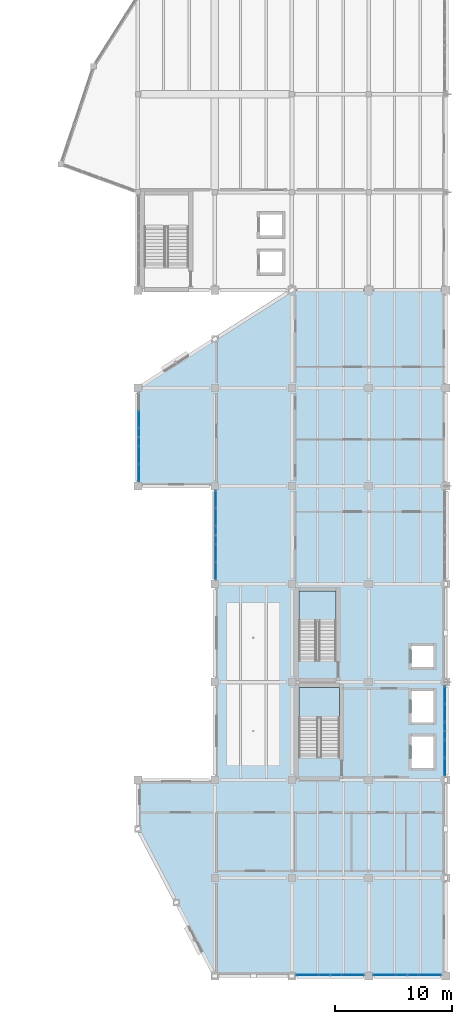
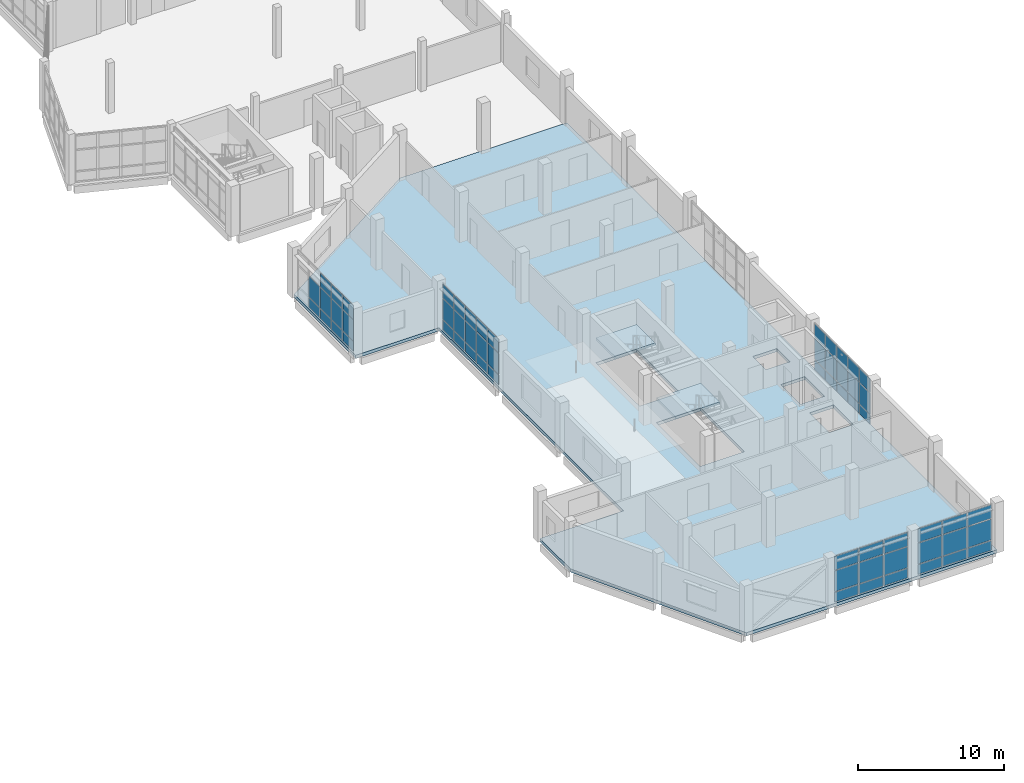
# One storey, part 38 of 74: 59 plates, 3 slabs, 7 elements without a shape of their own.
"""IFC4 building model written with IfcOpenShell, lengths in metres."""

from ifc_helpers import new_model, si_unit, direction, frame, origin, origin_2d, place, context, subcontext, project, spatial, polyline, rectangle, outline, extrude, material, layer, layer_set, type_object, element, aggregate, save


model = new_model("IFC4")

# Units and contexts
model_context = context("Model", 3, precision=1e-05, world=origin(), true_north=direction((0.0, 1.0)))
body_context = subcontext(model_context, "Body", "Model", "MODEL_VIEW")
ifc_project = project(units=[si_unit("LENGTHUNIT", "METRE"), si_unit("AREAUNIT", "SQUARE_METRE"), si_unit("VOLUMEUNIT", "CUBIC_METRE"), si_unit("PLANEANGLEUNIT", "RADIAN"), si_unit("MASSUNIT", "GRAM", prefix="KILO")], contexts=[model_context])

# Site, building, storey
site_placement = place(None, origin())
site = spatial("IfcSite", under=ifc_project, at=site_placement, CompositionType="ELEMENT")
building_placement = place(site_placement, origin())
building = spatial("IfcBuilding", under=site, at=building_placement, Name="Qaldarim Faculty of Natural and Applied Sciences", CompositionType="ELEMENT")
storey_placement = place(building_placement, frame((0.0, 0.0, 14.39990234375)))
storey = spatial("IfcBuildingStorey", under=building, at=storey_placement, Name="L03", CompositionType="ELEMENT", Elevation=14.39990234375)

# Slab
ifc_material_1 = material(Name="Concrete C40/50", Category="concrete")
ifc_layer_1 = layer(ifc_material_1, 0.260009765625)
ifc_layer_set_1 = layer_set([ifc_layer_1], Name="Concrete C40/50")
slab_type_1 = type_object("IfcSlabType", Name="LaboratoryFloorSlab-260", PredefinedType="FLOOR", material=ifc_layer_set_1)
slab_1_placement = place(storey_placement, frame((0.0, 0.0, -0.260009765625)))
element("IfcSlab", 1, at=slab_1_placement, inside=storey, type_object=slab_type_1, Name="Floor slab L03 V5", PredefinedType="FLOOR", context=body_context, shape_type="SweptSolid", body=[
    extrude(outline(polyline([(158.39990234375, 0.0), (178.199951171875, 0.0), (178.199951171875, 58.800048828125), (165.0, 58.800048828125), (151.800048828125, 50.39990234375), (151.800048828125, 42.0), (158.39990234375, 42.0), (158.39990234375, 16.800048828125), (151.800048828125, 16.800048828125), (151.800048828125, 12.60009765625), (158.39990234375, 0.0)]), holes=[polyline([(169.10009765625, 18.764892578125), (169.10009765625, 24.77490234375), (165.60009765625, 24.77490234375), (165.60009765625, 18.764892578125), (169.10009765625, 18.764892578125)]), polyline([(168.800048828125, 27.06494140625), (168.800048828125, 33.02490234375), (165.60009765625, 33.02490234375), (165.60009765625, 27.06494140625), (168.800048828125, 27.06494140625)]), polyline([(175.25, 17.85009765625), (177.14990234375, 17.85009765625), (177.14990234375, 20.550048828125), (175.25, 20.550048828125), (175.25, 17.85009765625)]), polyline([(175.25, 21.75), (177.14990234375, 21.75), (177.14990234375, 24.449951171875), (175.25, 24.449951171875), (175.25, 21.75)]), polyline([(175.25, 26.5), (177.14990234375, 26.5), (177.14990234375, 28.300048828125), (175.25, 28.300048828125), (175.25, 26.5)])]), origin(), (0.0, 0.0, 1.0), 0.260009765625),
])

# Curtain wall, plates
ifc_material_2 = material(Name="Anodised aluminium AW-6063", Category="aluminium")
curtain_wall_type = type_object("IfcCurtainWallType", Name="CurtainWallSystem-M1700", PredefinedType="USERDEFINED", material=ifc_material_2)
curtain_wall_1_placement = place(storey_placement, origin())
curtain_wall_1 = element("IfcCurtainWall", 2, at=curtain_wall_1_placement, inside=storey, type_object=curtain_wall_type, Name="Curtain wall CW-L03-W-X24Y06", ObjectType="UNITISED FACADE", PredefinedType="USERDEFINED")
ifc_material_3 = material(Name="Insulated low-e double glazing", Category="glass")
ifc_layer_2 = layer(ifc_material_3, 0.031982421875)
ifc_layer_set_2 = layer_set([ifc_layer_2], Name="Insulated low-e double glazing")
plate_type = type_object("IfcPlateType", Name="SolarControlGlazingPanel-32", PredefinedType="CURTAIN_PANEL", material=ifc_layer_set_2)
plate_1_placement = place(storey_placement, frame((151.8798828125, 47.741943359375, 0.070068359375), z_axis=(0.0, 0.0, 1.0), x_axis=(0.0, -1.0, 0.0)))
plate_1 = element("IfcPlate", 3, at=plate_1_placement, type_object=plate_type, Name="Glazed panel 2-1 of CW-L03-W-X24Y06", PredefinedType="CURTAIN_PANEL", context=body_context, shape_type="SweptSolid", body=[
    extrude(rectangle(XDim=1.471923828125, YDim=0.031982421875, at=origin_2d()), origin(), (0.0, 0.0, 1.0), 0.794921875),
])
plate_2_placement = place(storey_placement, frame((151.8798828125, 47.741943359375, 0.93505859375), z_axis=(0.0, 0.0, 1.0), x_axis=(0.0, -1.0, 0.0)))
plate_2 = element("IfcPlate", 4, at=plate_2_placement, type_object=plate_type, Name="Glazed panel 2-2 of CW-L03-W-X24Y06", PredefinedType="CURTAIN_PANEL", context=body_context, shape_type="SweptSolid", body=[
    extrude(rectangle(XDim=1.471923828125, YDim=0.031982421875, at=origin_2d()), origin(), (0.0, 0.0, 1.0), 1.72998046875),
])
plate_3_placement = place(storey_placement, frame((151.8798828125, 46.199951171875, 0.070068359375), z_axis=(0.0, 0.0, 1.0), x_axis=(0.0, -1.0, 0.0)))
plate_3 = element("IfcPlate", 5, at=plate_3_placement, type_object=plate_type, Name="Glazed panel 3-1 of CW-L03-W-X24Y06", PredefinedType="CURTAIN_PANEL", context=body_context, shape_type="SweptSolid", body=[
    extrude(rectangle(XDim=1.471923828125, YDim=0.031982421875, at=origin_2d()), origin(), (0.0, 0.0, 1.0), 0.794921875),
])
plate_4_placement = place(storey_placement, frame((151.8798828125, 46.199951171875, 0.93505859375), z_axis=(0.0, 0.0, 1.0), x_axis=(0.0, -1.0, 0.0)))
plate_4 = element("IfcPlate", 6, at=plate_4_placement, type_object=plate_type, Name="Glazed panel 3-2 of CW-L03-W-X24Y06", PredefinedType="CURTAIN_PANEL", context=body_context, shape_type="SweptSolid", body=[
    extrude(rectangle(XDim=1.471923828125, YDim=0.031982421875, at=origin_2d()), origin(), (0.0, 0.0, 1.0), 1.72998046875),
])
plate_5_placement = place(storey_placement, frame((151.8798828125, 46.199951171875, 2.73486328125), z_axis=(0.0, 0.0, 1.0), x_axis=(0.0, -1.0, 0.0)))
plate_5 = element("IfcPlate", 7, at=plate_5_placement, type_object=plate_type, Name="Glazed panel 3-3 of CW-L03-W-X24Y06", PredefinedType="CURTAIN_PANEL", context=body_context, shape_type="SweptSolid", body=[
    extrude(rectangle(XDim=1.471923828125, YDim=0.031982421875, at=origin_2d()), origin(), (0.0, 0.0, 1.0), 1.135009765625),
])
plate_6_placement = place(storey_placement, frame((151.8798828125, 44.657958984375, 0.070068359375), z_axis=(0.0, 0.0, 1.0), x_axis=(0.0, -1.0, 0.0)))
plate_6 = element("IfcPlate", 8, at=plate_6_placement, type_object=plate_type, Name="Glazed panel 4-1 of CW-L03-W-X24Y06", PredefinedType="CURTAIN_PANEL", context=body_context, shape_type="SweptSolid", body=[
    extrude(rectangle(XDim=1.471923828125, YDim=0.031982421875, at=origin_2d()), origin(), (0.0, 0.0, 1.0), 0.794921875),
])
plate_7_placement = place(storey_placement, frame((151.8798828125, 44.657958984375, 0.93505859375), z_axis=(0.0, 0.0, 1.0), x_axis=(0.0, -1.0, 0.0)))
plate_7 = element("IfcPlate", 9, at=plate_7_placement, type_object=plate_type, Name="Glazed panel 4-2 of CW-L03-W-X24Y06", PredefinedType="CURTAIN_PANEL", context=body_context, shape_type="SweptSolid", body=[
    extrude(rectangle(XDim=1.471923828125, YDim=0.031982421875, at=origin_2d()), origin(), (0.0, 0.0, 1.0), 1.72998046875),
])
plate_8_placement = place(storey_placement, frame((151.8798828125, 44.657958984375, 2.73486328125), z_axis=(0.0, 0.0, 1.0), x_axis=(0.0, -1.0, 0.0)))
plate_8 = element("IfcPlate", 10, at=plate_8_placement, type_object=plate_type, Name="Glazed panel 4-3 of CW-L03-W-X24Y06", PredefinedType="CURTAIN_PANEL", context=body_context, shape_type="SweptSolid", body=[
    extrude(rectangle(XDim=1.471923828125, YDim=0.031982421875, at=origin_2d()), origin(), (0.0, 0.0, 1.0), 1.135009765625),
])
plate_9_placement = place(storey_placement, frame((151.8798828125, 43.133544921875, 0.070068359375), z_axis=(0.0, 0.0, 1.0), x_axis=(0.0, -1.0, 0.0)))
plate_9 = element("IfcPlate", 11, at=plate_9_placement, type_object=plate_type, Name="Glazed panel 5-1 of CW-L03-W-X24Y06", PredefinedType="CURTAIN_PANEL", context=body_context, shape_type="SweptSolid", body=[
    extrude(rectangle(XDim=1.43701171875, YDim=0.031982421875, at=origin_2d()), origin(), (0.0, 0.0, 1.0), 0.794921875),
])
plate_10_placement = place(storey_placement, frame((151.8798828125, 43.133544921875, 0.93505859375), z_axis=(0.0, 0.0, 1.0), x_axis=(0.0, -1.0, 0.0)))
plate_10 = element("IfcPlate", 12, at=plate_10_placement, type_object=plate_type, Name="Glazed panel 5-2 of CW-L03-W-X24Y06", PredefinedType="CURTAIN_PANEL", context=body_context, shape_type="SweptSolid", body=[
    extrude(rectangle(XDim=1.43701171875, YDim=0.031982421875, at=origin_2d()), origin(), (0.0, 0.0, 1.0), 1.72998046875),
])
plate_11_placement = place(storey_placement, frame((151.8798828125, 43.133544921875, 2.73486328125), z_axis=(0.0, 0.0, 1.0), x_axis=(0.0, -1.0, 0.0)))
plate_11 = element("IfcPlate", 13, at=plate_11_placement, type_object=plate_type, Name="Glazed panel 5-3 of CW-L03-W-X24Y06", PredefinedType="CURTAIN_PANEL", context=body_context, shape_type="SweptSolid", body=[
    extrude(rectangle(XDim=1.43701171875, YDim=0.031982421875, at=origin_2d()), origin(), (0.0, 0.0, 1.0), 1.135009765625),
])
aggregate(curtain_wall_1, [plate_1, plate_2, plate_3, plate_4, plate_5, plate_6, plate_7, plate_8, plate_9, plate_10, plate_11])

curtain_wall_2_placement = place(storey_placement, origin())
curtain_wall_2 = element("IfcCurtainWall", 14, at=curtain_wall_2_placement, inside=storey, type_object=curtain_wall_type, Name="Curtain wall CW-L03-W-X25Y05", ObjectType="UNITISED FACADE", PredefinedType="USERDEFINED")
plate_12_placement = place(storey_placement, frame((158.47998046875, 40.866455078125, 0.070068359375), z_axis=(0.0, 0.0, 1.0), x_axis=(0.0, -1.0, 0.0)))
plate_12 = element("IfcPlate", 15, at=plate_12_placement, type_object=plate_type, Name="Glazed panel 1-1 of CW-L03-W-X25Y05", PredefinedType="CURTAIN_PANEL", context=body_context, shape_type="SweptSolid", body=[
    extrude(rectangle(XDim=1.43701171875, YDim=0.031982421875, at=origin_2d()), origin(), (0.0, 0.0, 1.0), 0.794921875),
])
plate_13_placement = place(storey_placement, frame((158.47998046875, 40.866455078125, 0.93505859375), z_axis=(0.0, 0.0, 1.0), x_axis=(0.0, -1.0, 0.0)))
plate_13 = element("IfcPlate", 16, at=plate_13_placement, type_object=plate_type, Name="Glazed panel 1-2 of CW-L03-W-X25Y05", PredefinedType="CURTAIN_PANEL", context=body_context, shape_type="SweptSolid", body=[
    extrude(rectangle(XDim=1.43701171875, YDim=0.031982421875, at=origin_2d()), origin(), (0.0, 0.0, 1.0), 1.72998046875),
])
plate_14_placement = place(storey_placement, frame((158.47998046875, 40.866455078125, 2.73486328125), z_axis=(0.0, 0.0, 1.0), x_axis=(0.0, -1.0, 0.0)))
plate_14 = element("IfcPlate", 17, at=plate_14_placement, type_object=plate_type, Name="Glazed panel 1-3 of CW-L03-W-X25Y05", PredefinedType="CURTAIN_PANEL", context=body_context, shape_type="SweptSolid", body=[
    extrude(rectangle(XDim=1.43701171875, YDim=0.031982421875, at=origin_2d()), origin(), (0.0, 0.0, 1.0), 1.135009765625),
])
plate_15_placement = place(storey_placement, frame((158.47998046875, 39.342041015625, 0.070068359375), z_axis=(0.0, 0.0, 1.0), x_axis=(0.0, -1.0, 0.0)))
plate_15 = element("IfcPlate", 18, at=plate_15_placement, type_object=plate_type, Name="Glazed panel 2-1 of CW-L03-W-X25Y05", PredefinedType="CURTAIN_PANEL", context=body_context, shape_type="SweptSolid", body=[
    extrude(rectangle(XDim=1.471923828125, YDim=0.031982421875, at=origin_2d()), origin(), (0.0, 0.0, 1.0), 0.794921875),
])
plate_16_placement = place(storey_placement, frame((158.47998046875, 39.342041015625, 0.93505859375), z_axis=(0.0, 0.0, 1.0), x_axis=(0.0, -1.0, 0.0)))
plate_16 = element("IfcPlate", 19, at=plate_16_placement, type_object=plate_type, Name="Glazed panel 2-2 of CW-L03-W-X25Y05", PredefinedType="CURTAIN_PANEL", context=body_context, shape_type="SweptSolid", body=[
    extrude(rectangle(XDim=1.471923828125, YDim=0.031982421875, at=origin_2d()), origin(), (0.0, 0.0, 1.0), 1.72998046875),
])
plate_17_placement = place(storey_placement, frame((158.47998046875, 39.342041015625, 2.73486328125), z_axis=(0.0, 0.0, 1.0), x_axis=(0.0, -1.0, 0.0)))
plate_17 = element("IfcPlate", 20, at=plate_17_placement, type_object=plate_type, Name="Glazed panel 2-3 of CW-L03-W-X25Y05", PredefinedType="CURTAIN_PANEL", context=body_context, shape_type="SweptSolid", body=[
    extrude(rectangle(XDim=1.471923828125, YDim=0.031982421875, at=origin_2d()), origin(), (0.0, 0.0, 1.0), 1.135009765625),
])
plate_18_placement = place(storey_placement, frame((158.47998046875, 37.800048828125, 0.070068359375), z_axis=(0.0, 0.0, 1.0), x_axis=(0.0, -1.0, 0.0)))
plate_18 = element("IfcPlate", 21, at=plate_18_placement, type_object=plate_type, Name="Glazed panel 3-1 of CW-L03-W-X25Y05", PredefinedType="CURTAIN_PANEL", context=body_context, shape_type="SweptSolid", body=[
    extrude(rectangle(XDim=1.471923828125, YDim=0.031982421875, at=origin_2d()), origin(), (0.0, 0.0, 1.0), 0.794921875),
])
plate_19_placement = place(storey_placement, frame((158.47998046875, 37.800048828125, 0.93505859375), z_axis=(0.0, 0.0, 1.0), x_axis=(0.0, -1.0, 0.0)))
plate_19 = element("IfcPlate", 22, at=plate_19_placement, type_object=plate_type, Name="Glazed panel 3-2 of CW-L03-W-X25Y05", PredefinedType="CURTAIN_PANEL", context=body_context, shape_type="SweptSolid", body=[
    extrude(rectangle(XDim=1.471923828125, YDim=0.031982421875, at=origin_2d()), origin(), (0.0, 0.0, 1.0), 1.72998046875),
])
plate_20_placement = place(storey_placement, frame((158.47998046875, 37.800048828125, 2.73486328125), z_axis=(0.0, 0.0, 1.0), x_axis=(0.0, -1.0, 0.0)))
plate_20 = element("IfcPlate", 23, at=plate_20_placement, type_object=plate_type, Name="Glazed panel 3-3 of CW-L03-W-X25Y05", PredefinedType="CURTAIN_PANEL", context=body_context, shape_type="SweptSolid", body=[
    extrude(rectangle(XDim=1.471923828125, YDim=0.031982421875, at=origin_2d()), origin(), (0.0, 0.0, 1.0), 1.135009765625),
])
plate_21_placement = place(storey_placement, frame((158.47998046875, 36.258056640625, 0.070068359375), z_axis=(0.0, 0.0, 1.0), x_axis=(0.0, -1.0, 0.0)))
plate_21 = element("IfcPlate", 24, at=plate_21_placement, type_object=plate_type, Name="Glazed panel 4-1 of CW-L03-W-X25Y05", PredefinedType="CURTAIN_PANEL", context=body_context, shape_type="SweptSolid", body=[
    extrude(rectangle(XDim=1.471923828125, YDim=0.031982421875, at=origin_2d()), origin(), (0.0, 0.0, 1.0), 0.794921875),
])
plate_22_placement = place(storey_placement, frame((158.47998046875, 36.258056640625, 0.93505859375), z_axis=(0.0, 0.0, 1.0), x_axis=(0.0, -1.0, 0.0)))
plate_22 = element("IfcPlate", 25, at=plate_22_placement, type_object=plate_type, Name="Glazed panel 4-2 of CW-L03-W-X25Y05", PredefinedType="CURTAIN_PANEL", context=body_context, shape_type="SweptSolid", body=[
    extrude(rectangle(XDim=1.471923828125, YDim=0.031982421875, at=origin_2d()), origin(), (0.0, 0.0, 1.0), 1.72998046875),
])
plate_23_placement = place(storey_placement, frame((158.47998046875, 36.258056640625, 2.73486328125), z_axis=(0.0, 0.0, 1.0), x_axis=(0.0, -1.0, 0.0)))
plate_23 = element("IfcPlate", 26, at=plate_23_placement, type_object=plate_type, Name="Glazed panel 4-3 of CW-L03-W-X25Y05", PredefinedType="CURTAIN_PANEL", context=body_context, shape_type="SweptSolid", body=[
    extrude(rectangle(XDim=1.471923828125, YDim=0.031982421875, at=origin_2d()), origin(), (0.0, 0.0, 1.0), 1.135009765625),
])
plate_24_placement = place(storey_placement, frame((158.47998046875, 34.7333984375, 0.070068359375), z_axis=(0.0, 0.0, 1.0), x_axis=(0.0, -1.0, 0.0)))
plate_24 = element("IfcPlate", 27, at=plate_24_placement, type_object=plate_type, Name="Glazed panel 5-1 of CW-L03-W-X25Y05", PredefinedType="CURTAIN_PANEL", context=body_context, shape_type="SweptSolid", body=[
    extrude(rectangle(XDim=1.43701171875, YDim=0.031982421875, at=origin_2d()), origin(), (0.0, 0.0, 1.0), 0.794921875),
])
plate_25_placement = place(storey_placement, frame((158.47998046875, 34.7333984375, 0.93505859375), z_axis=(0.0, 0.0, 1.0), x_axis=(0.0, -1.0, 0.0)))
plate_25 = element("IfcPlate", 28, at=plate_25_placement, type_object=plate_type, Name="Glazed panel 5-2 of CW-L03-W-X25Y05", PredefinedType="CURTAIN_PANEL", context=body_context, shape_type="SweptSolid", body=[
    extrude(rectangle(XDim=1.43701171875, YDim=0.031982421875, at=origin_2d()), origin(), (0.0, 0.0, 1.0), 1.72998046875),
])
plate_26_placement = place(storey_placement, frame((158.47998046875, 34.7333984375, 2.73486328125), z_axis=(0.0, 0.0, 1.0), x_axis=(0.0, -1.0, 0.0)))
plate_26 = element("IfcPlate", 29, at=plate_26_placement, type_object=plate_type, Name="Glazed panel 5-3 of CW-L03-W-X25Y05", PredefinedType="CURTAIN_PANEL", context=body_context, shape_type="SweptSolid", body=[
    extrude(rectangle(XDim=1.43701171875, YDim=0.031982421875, at=origin_2d()), origin(), (0.0, 0.0, 1.0), 1.135009765625),
])
aggregate(curtain_wall_2, [plate_12, plate_13, plate_14, plate_15, plate_16, plate_17, plate_18, plate_19, plate_20, plate_21, plate_22, plate_23, plate_24, plate_25, plate_26])

curtain_wall_3_placement = place(storey_placement, origin())
curtain_wall_3 = element("IfcCurtainWall", 30, at=curtain_wall_3_placement, inside=storey, type_object=curtain_wall_type, Name="Curtain wall CW-L03-S-X26Y01", ObjectType="UNITISED FACADE", PredefinedType="USERDEFINED")
plate_27_placement = place(storey_placement, frame((166.347412109375, 0.080078125, 0.070068359375), z_axis=(0.0, 0.0, 1.0), x_axis=(1.0, 0.0, 0.0)))
plate_27 = element("IfcPlate", 31, at=plate_27_placement, type_object=plate_type, Name="Glazed panel 1-1 of CW-L03-S-X26Y01", PredefinedType="CURTAIN_PANEL", context=body_context, shape_type="SweptSolid", body=[
    extrude(rectangle(XDim=1.864990234375, YDim=0.031982421875, at=origin_2d()), origin(), (0.0, 0.0, 1.0), 0.794921875),
])
plate_28_placement = place(storey_placement, frame((166.347412109375, 0.080078125, 0.93505859375), z_axis=(0.0, 0.0, 1.0), x_axis=(1.0, 0.0, 0.0)))
plate_28 = element("IfcPlate", 32, at=plate_28_placement, type_object=plate_type, Name="Glazed panel 1-2 of CW-L03-S-X26Y01", PredefinedType="CURTAIN_PANEL", context=body_context, shape_type="SweptSolid", body=[
    extrude(rectangle(XDim=1.864990234375, YDim=0.031982421875, at=origin_2d()), origin(), (0.0, 0.0, 1.0), 1.72998046875),
])
plate_29_placement = place(storey_placement, frame((166.347412109375, 0.080078125, 2.73486328125), z_axis=(0.0, 0.0, 1.0), x_axis=(1.0, 0.0, 0.0)))
plate_29 = element("IfcPlate", 33, at=plate_29_placement, type_object=plate_type, Name="Glazed panel 1-3 of CW-L03-S-X26Y01", PredefinedType="CURTAIN_PANEL", context=body_context, shape_type="SweptSolid", body=[
    extrude(rectangle(XDim=1.864990234375, YDim=0.031982421875, at=origin_2d()), origin(), (0.0, 0.0, 1.0), 1.135009765625),
])
plate_30_placement = place(storey_placement, frame((168.300048828125, 0.080078125, 0.070068359375), z_axis=(0.0, 0.0, 1.0), x_axis=(1.0, 0.0, 0.0)))
plate_30 = element("IfcPlate", 34, at=plate_30_placement, type_object=plate_type, Name="Glazed panel 2-1 of CW-L03-S-X26Y01", PredefinedType="CURTAIN_PANEL", context=body_context, shape_type="SweptSolid", body=[
    extrude(rectangle(XDim=1.89990234375, YDim=0.031982421875, at=origin_2d()), origin(), (0.0, 0.0, 1.0), 0.794921875),
])
plate_31_placement = place(storey_placement, frame((168.300048828125, 0.080078125, 0.93505859375), z_axis=(0.0, 0.0, 1.0), x_axis=(1.0, 0.0, 0.0)))
plate_31 = element("IfcPlate", 35, at=plate_31_placement, type_object=plate_type, Name="Glazed panel 2-2 of CW-L03-S-X26Y01", PredefinedType="CURTAIN_PANEL", context=body_context, shape_type="SweptSolid", body=[
    extrude(rectangle(XDim=1.89990234375, YDim=0.031982421875, at=origin_2d()), origin(), (0.0, 0.0, 1.0), 1.72998046875),
])
plate_32_placement = place(storey_placement, frame((168.300048828125, 0.080078125, 2.73486328125), z_axis=(0.0, 0.0, 1.0), x_axis=(1.0, 0.0, 0.0)))
plate_32 = element("IfcPlate", 36, at=plate_32_placement, type_object=plate_type, Name="Glazed panel 2-3 of CW-L03-S-X26Y01", PredefinedType="CURTAIN_PANEL", context=body_context, shape_type="SweptSolid", body=[
    extrude(rectangle(XDim=1.89990234375, YDim=0.031982421875, at=origin_2d()), origin(), (0.0, 0.0, 1.0), 1.135009765625),
])
plate_33_placement = place(storey_placement, frame((170.25244140625, 0.080078125, 0.070068359375), z_axis=(0.0, 0.0, 1.0), x_axis=(1.0, 0.0, 0.0)))
plate_33 = element("IfcPlate", 37, at=plate_33_placement, type_object=plate_type, Name="Glazed panel 3-1 of CW-L03-S-X26Y01", PredefinedType="CURTAIN_PANEL", context=body_context, shape_type="SweptSolid", body=[
    extrude(rectangle(XDim=1.864990234375, YDim=0.031982421875, at=origin_2d()), origin(), (0.0, 0.0, 1.0), 0.794921875),
])
plate_34_placement = place(storey_placement, frame((170.25244140625, 0.080078125, 0.93505859375), z_axis=(0.0, 0.0, 1.0), x_axis=(1.0, 0.0, 0.0)))
plate_34 = element("IfcPlate", 38, at=plate_34_placement, type_object=plate_type, Name="Glazed panel 3-2 of CW-L03-S-X26Y01", PredefinedType="CURTAIN_PANEL", context=body_context, shape_type="SweptSolid", body=[
    extrude(rectangle(XDim=1.864990234375, YDim=0.031982421875, at=origin_2d()), origin(), (0.0, 0.0, 1.0), 1.72998046875),
])
plate_35_placement = place(storey_placement, frame((170.25244140625, 0.080078125, 2.73486328125), z_axis=(0.0, 0.0, 1.0), x_axis=(1.0, 0.0, 0.0)))
plate_35 = element("IfcPlate", 39, at=plate_35_placement, type_object=plate_type, Name="Glazed panel 3-3 of CW-L03-S-X26Y01", PredefinedType="CURTAIN_PANEL", context=body_context, shape_type="SweptSolid", body=[
    extrude(rectangle(XDim=1.864990234375, YDim=0.031982421875, at=origin_2d()), origin(), (0.0, 0.0, 1.0), 1.135009765625),
])
aggregate(curtain_wall_3, [plate_27, plate_28, plate_29, plate_30, plate_31, plate_32, plate_33, plate_34, plate_35])

curtain_wall_4_placement = place(storey_placement, origin())
curtain_wall_4 = element("IfcCurtainWall", 40, at=curtain_wall_4_placement, inside=storey, type_object=curtain_wall_type, Name="Curtain wall CW-L03-S-X27Y01", ObjectType="UNITISED FACADE", PredefinedType="USERDEFINED")
plate_36_placement = place(storey_placement, frame((172.947509765625, 0.080078125, 0.070068359375), z_axis=(0.0, 0.0, 1.0), x_axis=(1.0, 0.0, 0.0)))
plate_36 = element("IfcPlate", 41, at=plate_36_placement, type_object=plate_type, Name="Glazed panel 1-1 of CW-L03-S-X27Y01", PredefinedType="CURTAIN_PANEL", context=body_context, shape_type="SweptSolid", body=[
    extrude(rectangle(XDim=1.864990234375, YDim=0.031982421875, at=origin_2d()), origin(), (0.0, 0.0, 1.0), 0.794921875),
])
plate_37_placement = place(storey_placement, frame((172.947509765625, 0.080078125, 0.93505859375), z_axis=(0.0, 0.0, 1.0), x_axis=(1.0, 0.0, 0.0)))
plate_37 = element("IfcPlate", 42, at=plate_37_placement, type_object=plate_type, Name="Glazed panel 1-2 of CW-L03-S-X27Y01", PredefinedType="CURTAIN_PANEL", context=body_context, shape_type="SweptSolid", body=[
    extrude(rectangle(XDim=1.864990234375, YDim=0.031982421875, at=origin_2d()), origin(), (0.0, 0.0, 1.0), 1.72998046875),
])
plate_38_placement = place(storey_placement, frame((172.947509765625, 0.080078125, 2.73486328125), z_axis=(0.0, 0.0, 1.0), x_axis=(1.0, 0.0, 0.0)))
plate_38 = element("IfcPlate", 43, at=plate_38_placement, type_object=plate_type, Name="Glazed panel 1-3 of CW-L03-S-X27Y01", PredefinedType="CURTAIN_PANEL", context=body_context, shape_type="SweptSolid", body=[
    extrude(rectangle(XDim=1.864990234375, YDim=0.031982421875, at=origin_2d()), origin(), (0.0, 0.0, 1.0), 1.135009765625),
])
plate_39_placement = place(storey_placement, frame((174.89990234375, 0.080078125, 0.070068359375), z_axis=(0.0, 0.0, 1.0), x_axis=(1.0, 0.0, 0.0)))
plate_39 = element("IfcPlate", 44, at=plate_39_placement, type_object=plate_type, Name="Glazed panel 2-1 of CW-L03-S-X27Y01", PredefinedType="CURTAIN_PANEL", context=body_context, shape_type="SweptSolid", body=[
    extrude(rectangle(XDim=1.89990234375, YDim=0.031982421875, at=origin_2d()), origin(), (0.0, 0.0, 1.0), 0.794921875),
])
plate_40_placement = place(storey_placement, frame((174.89990234375, 0.080078125, 0.93505859375), z_axis=(0.0, 0.0, 1.0), x_axis=(1.0, 0.0, 0.0)))
plate_40 = element("IfcPlate", 45, at=plate_40_placement, type_object=plate_type, Name="Glazed panel 2-2 of CW-L03-S-X27Y01", PredefinedType="CURTAIN_PANEL", context=body_context, shape_type="SweptSolid", body=[
    extrude(rectangle(XDim=1.89990234375, YDim=0.031982421875, at=origin_2d()), origin(), (0.0, 0.0, 1.0), 1.72998046875),
])
plate_41_placement = place(storey_placement, frame((174.89990234375, 0.080078125, 2.73486328125), z_axis=(0.0, 0.0, 1.0), x_axis=(1.0, 0.0, 0.0)))
plate_41 = element("IfcPlate", 46, at=plate_41_placement, type_object=plate_type, Name="Glazed panel 2-3 of CW-L03-S-X27Y01", PredefinedType="CURTAIN_PANEL", context=body_context, shape_type="SweptSolid", body=[
    extrude(rectangle(XDim=1.89990234375, YDim=0.031982421875, at=origin_2d()), origin(), (0.0, 0.0, 1.0), 1.135009765625),
])
plate_42_placement = place(storey_placement, frame((176.8525390625, 0.080078125, 0.070068359375), z_axis=(0.0, 0.0, 1.0), x_axis=(1.0, 0.0, 0.0)))
plate_42 = element("IfcPlate", 47, at=plate_42_placement, type_object=plate_type, Name="Glazed panel 3-1 of CW-L03-S-X27Y01", PredefinedType="CURTAIN_PANEL", context=body_context, shape_type="SweptSolid", body=[
    extrude(rectangle(XDim=1.864990234375, YDim=0.031982421875, at=origin_2d()), origin(), (0.0, 0.0, 1.0), 0.794921875),
])
plate_43_placement = place(storey_placement, frame((176.8525390625, 0.080078125, 0.93505859375), z_axis=(0.0, 0.0, 1.0), x_axis=(1.0, 0.0, 0.0)))
plate_43 = element("IfcPlate", 48, at=plate_43_placement, type_object=plate_type, Name="Glazed panel 3-2 of CW-L03-S-X27Y01", PredefinedType="CURTAIN_PANEL", context=body_context, shape_type="SweptSolid", body=[
    extrude(rectangle(XDim=1.864990234375, YDim=0.031982421875, at=origin_2d()), origin(), (0.0, 0.0, 1.0), 1.72998046875),
])
plate_44_placement = place(storey_placement, frame((176.8525390625, 0.080078125, 2.73486328125), z_axis=(0.0, 0.0, 1.0), x_axis=(1.0, 0.0, 0.0)))
plate_44 = element("IfcPlate", 49, at=plate_44_placement, type_object=plate_type, Name="Glazed panel 3-3 of CW-L03-S-X27Y01", PredefinedType="CURTAIN_PANEL", context=body_context, shape_type="SweptSolid", body=[
    extrude(rectangle(XDim=1.864990234375, YDim=0.031982421875, at=origin_2d()), origin(), (0.0, 0.0, 1.0), 1.135009765625),
])
aggregate(curtain_wall_4, [plate_36, plate_37, plate_38, plate_39, plate_40, plate_41, plate_42, plate_43, plate_44])

curtain_wall_5_placement = place(storey_placement, origin())
curtain_wall_5 = element("IfcCurtainWall", 50, at=curtain_wall_5_placement, inside=storey, type_object=curtain_wall_type, Name="Curtain wall CW-L03-E-X27Y03", ObjectType="UNITISED FACADE", PredefinedType="USERDEFINED")
plate_45_placement = place(storey_placement, frame((178.1201171875, 17.93359375, 0.070068359375), z_axis=(0.0, 0.0, 1.0), x_axis=(0.0, 1.0, 0.0)))
plate_45 = element("IfcPlate", 51, at=plate_45_placement, type_object=plate_type, Name="Glazed panel 1-1 of CW-L03-E-X27Y03", PredefinedType="CURTAIN_PANEL", context=body_context, shape_type="SweptSolid", body=[
    extrude(rectangle(XDim=1.43701171875, YDim=0.031982421875, at=origin_2d()), origin(), (0.0, 0.0, 1.0), 0.794921875),
])
plate_46_placement = place(storey_placement, frame((178.1201171875, 17.93359375, 0.93505859375), z_axis=(0.0, 0.0, 1.0), x_axis=(0.0, 1.0, 0.0)))
plate_46 = element("IfcPlate", 52, at=plate_46_placement, type_object=plate_type, Name="Glazed panel 1-2 of CW-L03-E-X27Y03", PredefinedType="CURTAIN_PANEL", context=body_context, shape_type="SweptSolid", body=[
    extrude(rectangle(XDim=1.43701171875, YDim=0.031982421875, at=origin_2d()), origin(), (0.0, 0.0, 1.0), 1.72998046875),
])
plate_47_placement = place(storey_placement, frame((178.1201171875, 17.93359375, 2.73486328125), z_axis=(0.0, 0.0, 1.0), x_axis=(0.0, 1.0, 0.0)))
plate_47 = element("IfcPlate", 53, at=plate_47_placement, type_object=plate_type, Name="Glazed panel 1-3 of CW-L03-E-X27Y03", PredefinedType="CURTAIN_PANEL", context=body_context, shape_type="SweptSolid", body=[
    extrude(rectangle(XDim=1.43701171875, YDim=0.031982421875, at=origin_2d()), origin(), (0.0, 0.0, 1.0), 1.135009765625),
])
plate_48_placement = place(storey_placement, frame((178.1201171875, 19.4580078125, 0.070068359375), z_axis=(0.0, 0.0, 1.0), x_axis=(0.0, 1.0, 0.0)))
plate_48 = element("IfcPlate", 54, at=plate_48_placement, type_object=plate_type, Name="Glazed panel 2-1 of CW-L03-E-X27Y03", PredefinedType="CURTAIN_PANEL", context=body_context, shape_type="SweptSolid", body=[
    extrude(rectangle(XDim=1.471923828125, YDim=0.031982421875, at=origin_2d()), origin(), (0.0, 0.0, 1.0), 0.794921875),
])
plate_49_placement = place(storey_placement, frame((178.1201171875, 19.4580078125, 0.93505859375), z_axis=(0.0, 0.0, 1.0), x_axis=(0.0, 1.0, 0.0)))
plate_49 = element("IfcPlate", 55, at=plate_49_placement, type_object=plate_type, Name="Glazed panel 2-2 of CW-L03-E-X27Y03", PredefinedType="CURTAIN_PANEL", context=body_context, shape_type="SweptSolid", body=[
    extrude(rectangle(XDim=1.471923828125, YDim=0.031982421875, at=origin_2d()), origin(), (0.0, 0.0, 1.0), 1.72998046875),
])
plate_50_placement = place(storey_placement, frame((178.1201171875, 19.4580078125, 2.73486328125), z_axis=(0.0, 0.0, 1.0), x_axis=(0.0, 1.0, 0.0)))
plate_50 = element("IfcPlate", 56, at=plate_50_placement, type_object=plate_type, Name="Glazed panel 2-3 of CW-L03-E-X27Y03", PredefinedType="CURTAIN_PANEL", context=body_context, shape_type="SweptSolid", body=[
    extrude(rectangle(XDim=1.471923828125, YDim=0.031982421875, at=origin_2d()), origin(), (0.0, 0.0, 1.0), 1.135009765625),
])
plate_51_placement = place(storey_placement, frame((178.1201171875, 21.0, 0.070068359375), z_axis=(0.0, 0.0, 1.0), x_axis=(0.0, 1.0, 0.0)))
plate_51 = element("IfcPlate", 57, at=plate_51_placement, type_object=plate_type, Name="Glazed panel 3-1 of CW-L03-E-X27Y03", PredefinedType="CURTAIN_PANEL", context=body_context, shape_type="SweptSolid", body=[
    extrude(rectangle(XDim=1.471923828125, YDim=0.031982421875, at=origin_2d()), origin(), (0.0, 0.0, 1.0), 0.794921875),
])
plate_52_placement = place(storey_placement, frame((178.1201171875, 21.0, 0.93505859375), z_axis=(0.0, 0.0, 1.0), x_axis=(0.0, 1.0, 0.0)))
plate_52 = element("IfcPlate", 58, at=plate_52_placement, type_object=plate_type, Name="Glazed panel 3-2 of CW-L03-E-X27Y03", PredefinedType="CURTAIN_PANEL", context=body_context, shape_type="SweptSolid", body=[
    extrude(rectangle(XDim=1.471923828125, YDim=0.031982421875, at=origin_2d()), origin(), (0.0, 0.0, 1.0), 1.72998046875),
])
plate_53_placement = place(storey_placement, frame((178.1201171875, 21.0, 2.73486328125), z_axis=(0.0, 0.0, 1.0), x_axis=(0.0, 1.0, 0.0)))
plate_53 = element("IfcPlate", 59, at=plate_53_placement, type_object=plate_type, Name="Glazed panel 3-3 of CW-L03-E-X27Y03", PredefinedType="CURTAIN_PANEL", context=body_context, shape_type="SweptSolid", body=[
    extrude(rectangle(XDim=1.471923828125, YDim=0.031982421875, at=origin_2d()), origin(), (0.0, 0.0, 1.0), 1.135009765625),
])
plate_54_placement = place(storey_placement, frame((178.1201171875, 22.5419921875, 0.070068359375), z_axis=(0.0, 0.0, 1.0), x_axis=(0.0, 1.0, 0.0)))
plate_54 = element("IfcPlate", 60, at=plate_54_placement, type_object=plate_type, Name="Glazed panel 4-1 of CW-L03-E-X27Y03", PredefinedType="CURTAIN_PANEL", context=body_context, shape_type="SweptSolid", body=[
    extrude(rectangle(XDim=1.471923828125, YDim=0.031982421875, at=origin_2d()), origin(), (0.0, 0.0, 1.0), 0.794921875),
])
plate_55_placement = place(storey_placement, frame((178.1201171875, 22.5419921875, 0.93505859375), z_axis=(0.0, 0.0, 1.0), x_axis=(0.0, 1.0, 0.0)))
plate_55 = element("IfcPlate", 61, at=plate_55_placement, type_object=plate_type, Name="Glazed panel 4-2 of CW-L03-E-X27Y03", PredefinedType="CURTAIN_PANEL", context=body_context, shape_type="SweptSolid", body=[
    extrude(rectangle(XDim=1.471923828125, YDim=0.031982421875, at=origin_2d()), origin(), (0.0, 0.0, 1.0), 1.72998046875),
])
plate_56_placement = place(storey_placement, frame((178.1201171875, 22.5419921875, 2.73486328125), z_axis=(0.0, 0.0, 1.0), x_axis=(0.0, 1.0, 0.0)))
plate_56 = element("IfcPlate", 62, at=plate_56_placement, type_object=plate_type, Name="Glazed panel 4-3 of CW-L03-E-X27Y03", PredefinedType="CURTAIN_PANEL", context=body_context, shape_type="SweptSolid", body=[
    extrude(rectangle(XDim=1.471923828125, YDim=0.031982421875, at=origin_2d()), origin(), (0.0, 0.0, 1.0), 1.135009765625),
])
plate_57_placement = place(storey_placement, frame((178.1201171875, 24.06640625, 0.070068359375), z_axis=(0.0, 0.0, 1.0), x_axis=(0.0, 1.0, 0.0)))
plate_57 = element("IfcPlate", 63, at=plate_57_placement, type_object=plate_type, Name="Glazed panel 5-1 of CW-L03-E-X27Y03", PredefinedType="CURTAIN_PANEL", context=body_context, shape_type="SweptSolid", body=[
    extrude(rectangle(XDim=1.43701171875, YDim=0.031982421875, at=origin_2d()), origin(), (0.0, 0.0, 1.0), 0.794921875),
])
plate_58_placement = place(storey_placement, frame((178.1201171875, 24.06640625, 0.93505859375), z_axis=(0.0, 0.0, 1.0), x_axis=(0.0, 1.0, 0.0)))
plate_58 = element("IfcPlate", 64, at=plate_58_placement, type_object=plate_type, Name="Glazed panel 5-2 of CW-L03-E-X27Y03", PredefinedType="CURTAIN_PANEL", context=body_context, shape_type="SweptSolid", body=[
    extrude(rectangle(XDim=1.43701171875, YDim=0.031982421875, at=origin_2d()), origin(), (0.0, 0.0, 1.0), 1.72998046875),
])
plate_59_placement = place(storey_placement, frame((178.1201171875, 24.06640625, 2.73486328125), z_axis=(0.0, 0.0, 1.0), x_axis=(0.0, 1.0, 0.0)))
plate_59 = element("IfcPlate", 65, at=plate_59_placement, type_object=plate_type, Name="Glazed panel 5-3 of CW-L03-E-X27Y03", PredefinedType="CURTAIN_PANEL", context=body_context, shape_type="SweptSolid", body=[
    extrude(rectangle(XDim=1.43701171875, YDim=0.031982421875, at=origin_2d()), origin(), (0.0, 0.0, 1.0), 1.135009765625),
])
aggregate(curtain_wall_5, [plate_45, plate_46, plate_47, plate_48, plate_49, plate_50, plate_51, plate_52, plate_53, plate_54, plate_55, plate_56, plate_57, plate_58, plate_59])

# Stair, slab
stair_type_1 = type_object("IfcStairType", Name="DoglegStair-W1650-H4200-26R", PredefinedType="HALF_TURN_STAIR", material=ifc_material_1)
stair_1_placement = place(storey_placement, origin())
stair_1 = element("IfcStair", 66, at=stair_1_placement, inside=storey, type_object=stair_type_1, Name="Enclosed exit stair ST-A1 L03", PredefinedType="HALF_TURN_STAIR")
ifc_layer_3 = layer(ifc_material_1, 0.2099609375)
ifc_layer_set_3 = layer_set([ifc_layer_3], Name="Concrete C40/50")
slab_type_2 = type_object("IfcSlabType", Name="StairLandingSlab-210", PredefinedType="LANDING", material=ifc_layer_set_3)
slab_2_placement = place(storey_placement, frame((0.0, 0.0, 1.89013671875)))
slab_2 = element("IfcSlab", 67, at=slab_2_placement, type_object=slab_type_2, Name="ST-A1 L03 half-landing 1", PredefinedType="LANDING", context=body_context, shape_type="SweptSolid", body=[
    extrude(outline(polyline([(169.10009765625, 22.155029296875), (169.10009765625, 24.75), (165.60009765625, 24.75), (165.60009765625, 22.155029296875), (169.10009765625, 22.155029296875)])), origin(), (0.0, 0.0, 1.0), 0.2099609375),
])
aggregate(stair_1, [slab_2])

stair_type_2 = type_object("IfcStairType", Name="DoglegStair-W1500-H4200-26R", PredefinedType="HALF_TURN_STAIR", material=ifc_material_1)
stair_2_placement = place(storey_placement, origin())
stair_2 = element("IfcStair", 68, at=stair_2_placement, inside=storey, type_object=stair_type_2, Name="Enclosed exit stair ST-A2 L03", PredefinedType="HALF_TURN_STAIR")
slab_3_placement = place(storey_placement, frame((0.0, 0.0, 1.89013671875)))
slab_3 = element("IfcSlab", 69, at=slab_3_placement, type_object=slab_type_2, Name="ST-A2 L03 half-landing 1", PredefinedType="LANDING", context=body_context, shape_type="SweptSolid", body=[
    extrude(outline(polyline([(168.800048828125, 30.455078125), (168.800048828125, 33.0), (165.60009765625, 33.0), (165.60009765625, 30.455078125), (168.800048828125, 30.455078125)])), origin(), (0.0, 0.0, 1.0), 0.2099609375),
])
aggregate(stair_2, [slab_3])

save(model, "model.ifc")
